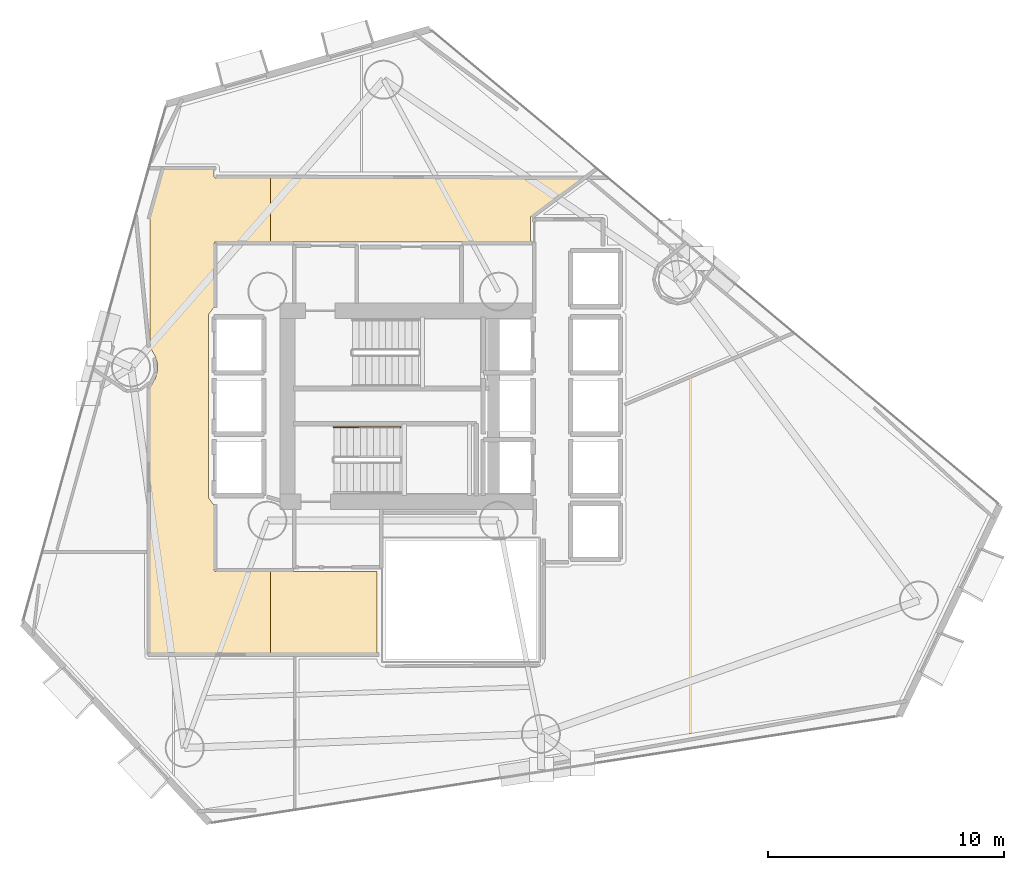
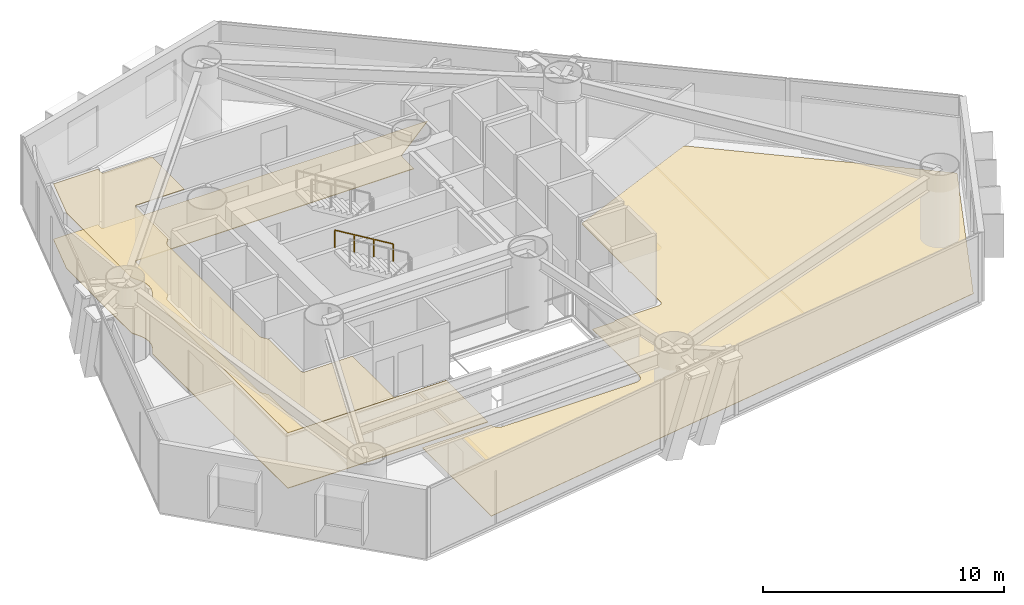
# One storey, part 21 of 23: 3 coverings, 1 railing.
"""IFC4 building model written with IfcOpenShell, lengths in metres."""

from ifc_helpers import new_model, si_unit, direction, frame, origin, origin_2d, place, context, subcontext, project, spatial, polyline, rectangle, outline, extrude, material, layer, layer_set, type_object, element, save


model = new_model("IFC4")

# Units and contexts
model_context = context("Model", 3, precision=1e-05, world=origin(), true_north=direction((0.0, 1.0)))
body_context = subcontext(model_context, "Body", "Model", "MODEL_VIEW")
ifc_project = project(units=[si_unit("LENGTHUNIT", "METRE"), si_unit("AREAUNIT", "SQUARE_METRE"), si_unit("VOLUMEUNIT", "CUBIC_METRE"), si_unit("PLANEANGLEUNIT", "RADIAN"), si_unit("MASSUNIT", "GRAM", prefix="KILO")], contexts=[model_context])

# Site, building, storey
site_placement = place(None, origin())
site = spatial("IfcSite", under=ifc_project, at=site_placement, CompositionType="ELEMENT")
building_placement = place(site_placement, origin())
building = spatial("IfcBuilding", under=site, at=building_placement, Name="Qianvela Tower", CompositionType="ELEMENT")
storey_placement = place(building_placement, frame((0.0, 0.0, 78.39990234375)))
storey = spatial("IfcBuildingStorey", under=building, at=storey_placement, Name="L19", CompositionType="ELEMENT", Elevation=78.39990234375)

# Coverings
ifc_material_1 = material(Name="Perforated Mineral Acoustic Ceiling Tile")
ifc_layer_1 = layer(ifc_material_1, 0.02490234375)
ifc_layer_set_1 = layer_set([ifc_layer_1], Name="Perforated Mineral Acoustic Ceiling Tile")
covering_type_1 = type_object("IfcCoveringType", Name="COV-CEIL-ACOUSTIC-25", PredefinedType="CEILING", material=ifc_layer_set_1)
covering_1_placement = place(storey_placement, frame((0.0, 0.0, 2.815185546875)))
element("IfcCovering", 1, at=covering_1_placement, inside=storey, type_object=covering_type_1, Name="L19 Acoustic Ceiling Bay 1 L19 Floor Corridor", PredefinedType="CEILING", context=body_context, shape_type="SweptSolid", body=[
    extrude(outline(polyline([(23.868408203125, 30.7705078125), (23.864990234375, 30.777587890625), (23.6298828125, 31.21728515625), (23.6298828125, 36.630615234375), (24.210205078125, 38.719970703125), (26.340087890625, 38.719970703125), (26.340087890625, 38.449951171875), (26.34033203125, 38.442138671875), (26.341552734375, 38.434326171875), (26.343505859375, 38.4267578125), (26.34619140625, 38.41943359375), (26.349365234375, 38.412353515625), (26.353515625, 38.405517578125), (26.358154296875, 38.399169921875), (26.36328125, 38.393310546875), (26.369140625, 38.38818359375), (26.37548828125, 38.383544921875), (26.38232421875, 38.37939453125), (26.389404296875, 38.376220703125), (26.396728515625, 38.373291015625), (26.404296875, 38.37158203125), (26.412109375, 38.370361328125), (26.419921875, 38.3701171875), (28.734619140625, 38.3701171875), (28.734619140625, 35.659912109375), (26.419921875, 35.659912109375), (26.412109375, 35.65966796875), (26.404296875, 35.658447265625), (26.396728515625, 35.656494140625), (26.389404296875, 35.65380859375), (26.38232421875, 35.650634765625), (26.37548828125, 35.646484375), (26.369140625, 35.641845703125), (26.36328125, 35.63671875), (26.358154296875, 35.630859375), (26.353515625, 35.62451171875), (26.349365234375, 35.61767578125), (26.34619140625, 35.610595703125), (26.343505859375, 35.603271484375), (26.341552734375, 35.595703125), (26.34033203125, 35.587890625), (26.340087890625, 35.580078125), (26.340087890625, 32.89599609375), (26.139404296875, 32.62548828125), (26.135498046875, 32.61962890625), (26.132080078125, 32.61376953125), (26.12939453125, 32.607421875), (26.126953125, 32.60107421875), (26.103515625, 32.523193359375), (26.1015625, 32.515625), (26.100341796875, 32.5078125), (26.10009765625, 32.5), (26.10009765625, 24.89990234375), (26.100341796875, 24.89208984375), (26.1015625, 24.884521484375), (26.103515625, 24.876708984375), (26.126953125, 24.799072265625), (26.12939453125, 24.79248046875), (26.132080078125, 24.786376953125), (26.135498046875, 24.7802734375), (26.139404296875, 24.774658203125), (26.340087890625, 24.50390625), (26.340087890625, 21.780029296875), (26.34033203125, 21.772216796875), (26.341552734375, 21.764404296875), (26.343505859375, 21.7568359375), (26.34619140625, 21.74951171875), (26.349365234375, 21.7421875), (26.353515625, 21.735595703125), (26.358154296875, 21.729248046875), (26.36328125, 21.723388671875), (26.369140625, 21.71826171875), (26.37548828125, 21.71337890625), (26.38232421875, 21.70947265625), (26.389404296875, 21.7060546875), (26.396728515625, 21.703369140625), (26.404296875, 21.701416015625), (26.412109375, 21.700439453125), (26.419921875, 21.699951171875), (28.734619140625, 21.699951171875), (28.734619140625, 18.22998046875), (23.6298828125, 18.22998046875), (23.6298828125, 29.462646484375), (23.864990234375, 29.90234375), (23.868408203125, 29.909423828125), (23.87109375, 29.9169921875), (23.930419921875, 30.11279296875), (23.932373046875, 30.12060546875), (23.93359375, 30.12841796875), (23.95361328125, 30.332275390625), (23.9541015625, 30.340087890625), (23.95361328125, 30.347900390625), (23.93359375, 30.5517578125), (23.932373046875, 30.5595703125), (23.930419921875, 30.567138671875), (23.87109375, 30.76318359375), (23.868408203125, 30.7705078125)])), origin(), (0.0, 0.0, 1.0), 0.02490234375),
])
ifc_material_2 = material(Name="Engineered Acoustic Oak Timber Flooring", Category="wood")
ifc_layer_2 = layer(ifc_material_2, 0.02001953125)
ifc_layer_set_2 = layer_set([ifc_layer_2], Name="Engineered Acoustic Oak Timber Flooring")
covering_type_2 = type_object("IfcCoveringType", Name="COV-FLOOR-OAK-20", PredefinedType="FLOORING", material=ifc_layer_set_2)
covering_2_placement = place(storey_placement, origin())
element("IfcCovering", 2, at=covering_2_placement, inside=storey, type_object=covering_type_2, Name="L19 Finish Flooring Debate Lecture Classroom L19-02", PredefinedType="FLOORING", context=body_context, shape_type="SweptSolid", body=[
    extrude(outline(polyline([(33.24609375, 17.989990234375), (33.252197265625, 17.912353515625), (33.25341796875, 17.904296875), (33.25537109375, 17.896240234375), (33.258056640625, 17.888427734375), (33.261474609375, 17.881103515625), (33.31298828125, 17.78466796875), (33.31689453125, 17.77783203125), (33.32177734375, 17.771484375), (33.326904296875, 17.765869140625), (33.332763671875, 17.760498046875), (33.417236328125, 17.691162109375), (33.42431640625, 17.68603515625), (33.431884765625, 17.681640625), (33.440185546875, 17.677978515625), (33.448486328125, 17.675537109375), (33.58056640625, 17.642333984375), (33.5869140625, 17.64111328125), (33.593505859375, 17.640380859375), (33.60009765625, 17.639892578125), (40.0, 17.639892578125), (40.0078125, 17.640380859375), (40.015625, 17.6416015625), (40.023193359375, 17.643310546875), (40.1787109375, 17.690673828125), (40.185546875, 17.693115234375), (40.192138671875, 17.696044921875), (40.198486328125, 17.69970703125), (40.204345703125, 17.70361328125), (40.209716796875, 17.70849609375), (40.21484375, 17.71337890625), (40.30615234375, 17.814208984375), (40.311279296875, 17.8203125), (40.315673828125, 17.826904296875), (40.3193359375, 17.833740234375), (40.322265625, 17.841064453125), (40.324462890625, 17.8486328125), (40.357666015625, 17.980712890625), (40.35888671875, 17.987060546875), (40.359619140625, 17.993408203125), (40.360107421875, 18.0), (40.360107421875, 21.889892578125), (41.367919921875, 21.890380859375), (41.375732421875, 21.890869140625), (41.383544921875, 21.891845703125), (41.39111328125, 21.893798828125), (41.3984375, 21.896484375), (41.405517578125, 21.89990234375), (41.45947265625, 21.9287109375), (41.46630859375, 21.932861328125), (41.472900390625, 21.9375), (41.478759765625, 21.943115234375), (41.48388671875, 21.948974609375), (41.48876953125, 21.955322265625), (41.492919921875, 21.96240234375), (41.49609375, 21.969482421875), (41.498779296875, 21.97705078125), (41.49951171875, 21.97998046875), (43.59375, 21.980712890625), (43.6015625, 21.981201171875), (43.609375, 21.982177734375), (43.616943359375, 21.984130859375), (43.624267578125, 21.98681640625), (43.699462890625, 22.017822265625), (43.70654296875, 22.021240234375), (43.71337890625, 22.025390625), (43.719482421875, 22.02978515625), (43.725341796875, 22.03515625), (43.730712890625, 22.041015625), (43.7353515625, 22.04736328125), (43.780517578125, 22.114990234375), (43.784423828125, 22.12158203125), (43.787841796875, 22.128662109375), (43.79052734375, 22.135986328125), (43.79248046875, 22.1435546875), (43.793701171875, 22.1513671875), (43.7939453125, 22.1591796875), (43.800048828125, 24.599853515625), (43.7998046875, 24.606689453125), (43.798828125, 24.613525390625), (43.79736328125, 24.620361328125), (43.79541015625, 24.626953125), (43.763427734375, 24.7158203125), (43.760498046875, 24.722900390625), (43.7568359375, 24.72998046875), (43.75244140625, 24.736572265625), (43.74755859375, 24.742431640625), (43.741943359375, 24.748046875), (43.73583984375, 24.753173828125), (43.730224609375, 24.7568359375), (43.74462890625, 24.765380859375), (43.75146484375, 24.77001953125), (43.7578125, 24.775146484375), (43.763427734375, 24.781005859375), (43.7685546875, 24.787353515625), (43.77294921875, 24.794189453125), (43.776611328125, 24.8017578125), (43.779541015625, 24.809326171875), (43.78173828125, 24.817138671875), (43.782958984375, 24.8251953125), (43.783447265625, 24.83349609375), (43.800048828125, 27.299560546875), (43.799560546875, 27.3076171875), (43.798583984375, 27.315673828125), (43.79638671875, 27.323486328125), (43.793701171875, 27.3310546875), (43.7646484375, 27.39990234375), (43.793701171875, 27.468994140625), (43.79638671875, 27.476318359375), (43.79833984375, 27.484130859375), (43.799560546875, 27.491943359375), (43.800048828125, 27.5), (43.800048828125, 28.7373046875), (50.292236328125, 31.492919921875), (59.135009765625, 24.1064453125), (55.361083984375, 16.2099609375), (29.94873046875, 12.260986328125), (29.94873046875, 17.989990234375), (33.24609375, 17.989990234375)])), origin(), (0.0, 0.0, 1.0), 0.02001953125),
])
ifc_material_3 = material(Name="Honed Stone Terrazzo Flooring", Category="masonry")
ifc_layer_3 = layer(ifc_material_3, 0.030029296875)
ifc_layer_set_3 = layer_set([ifc_layer_3], Name="Honed Stone Terrazzo Flooring")
covering_type_3 = type_object("IfcCoveringType", Name="COV-FLOOR-TERRAZZO-30", PredefinedType="FLOORING", material=ifc_layer_set_3)
covering_3_placement = place(storey_placement, origin())
element("IfcCovering", 3, at=covering_3_placement, inside=storey, type_object=covering_type_3, Name="L19 Finish Flooring L19 Floor Corridor", PredefinedType="FLOORING", context=body_context, shape_type="SweptSolid", body=[
    extrude(outline(polyline([(23.87109375, 30.76318359375), (23.868408203125, 30.7705078125), (23.864990234375, 30.777587890625), (23.6298828125, 31.21728515625), (23.6298828125, 36.630615234375), (24.210205078125, 38.719970703125), (26.340087890625, 38.719970703125), (26.340087890625, 38.449951171875), (26.34033203125, 38.442138671875), (26.341552734375, 38.434326171875), (26.343505859375, 38.4267578125), (26.34619140625, 38.41943359375), (26.349365234375, 38.412353515625), (26.353515625, 38.405517578125), (26.358154296875, 38.399169921875), (26.36328125, 38.393310546875), (26.369140625, 38.38818359375), (26.37548828125, 38.383544921875), (26.38232421875, 38.37939453125), (26.389404296875, 38.376220703125), (26.396728515625, 38.373291015625), (26.404296875, 38.37158203125), (26.412109375, 38.370361328125), (26.419921875, 38.3701171875), (41.961181640625, 38.3701171875), (39.784423828125, 36.753662109375), (39.778076171875, 36.748291015625), (39.772216796875, 36.742431640625), (39.76708984375, 36.736083984375), (39.7626953125, 36.729248046875), (39.759033203125, 36.721923828125), (39.756103515625, 36.71435546875), (39.75390625, 36.70654296875), (39.752685546875, 36.698486328125), (39.752197265625, 36.690185546875), (39.739013671875, 35.659912109375), (26.419921875, 35.659912109375), (26.412109375, 35.65966796875), (26.404296875, 35.658447265625), (26.396728515625, 35.656494140625), (26.389404296875, 35.65380859375), (26.38232421875, 35.650634765625), (26.37548828125, 35.646484375), (26.369140625, 35.641845703125), (26.36328125, 35.63671875), (26.358154296875, 35.630859375), (26.353515625, 35.62451171875), (26.349365234375, 35.61767578125), (26.34619140625, 35.610595703125), (26.343505859375, 35.603271484375), (26.341552734375, 35.595703125), (26.34033203125, 35.587890625), (26.340087890625, 35.580078125), (26.340087890625, 32.89599609375), (26.139404296875, 32.62548828125), (26.135498046875, 32.61962890625), (26.132080078125, 32.61376953125), (26.12939453125, 32.607421875), (26.126953125, 32.60107421875), (26.103515625, 32.523193359375), (26.1015625, 32.515625), (26.100341796875, 32.5078125), (26.10009765625, 32.5), (26.10009765625, 24.89990234375), (26.100341796875, 24.89208984375), (26.1015625, 24.884521484375), (26.103515625, 24.876708984375), (26.126953125, 24.799072265625), (26.12939453125, 24.79248046875), (26.132080078125, 24.786376953125), (26.135498046875, 24.7802734375), (26.139404296875, 24.774658203125), (26.340087890625, 24.50390625), (26.340087890625, 21.780029296875), (26.34033203125, 21.772216796875), (26.341552734375, 21.764404296875), (26.343505859375, 21.7568359375), (26.34619140625, 21.74951171875), (26.349365234375, 21.7421875), (26.353515625, 21.735595703125), (26.358154296875, 21.729248046875), (26.36328125, 21.723388671875), (26.369140625, 21.71826171875), (26.37548828125, 21.71337890625), (26.38232421875, 21.70947265625), (26.389404296875, 21.7060546875), (26.396728515625, 21.703369140625), (26.404296875, 21.701416015625), (26.412109375, 21.700439453125), (26.419921875, 21.699951171875), (33.239990234375, 21.699951171875), (33.239990234375, 18.22998046875), (23.6298828125, 18.22998046875), (23.6298828125, 29.462646484375), (23.864990234375, 29.90234375), (23.868408203125, 29.909423828125), (23.87109375, 29.9169921875), (23.930419921875, 30.11279296875), (23.932373046875, 30.12060546875), (23.93359375, 30.12841796875), (23.95361328125, 30.332275390625), (23.9541015625, 30.340087890625), (23.95361328125, 30.347900390625), (23.93359375, 30.5517578125), (23.932373046875, 30.5595703125), (23.930419921875, 30.567138671875), (23.87109375, 30.76318359375)])), origin(), (0.0, 0.0, 1.0), 0.030029296875),
])

# Railing
ifc_material_4 = material(Name="Brushed Stainless Steel 304", Category="steel")
railing_type = type_object("IfcRailingType", Name="RL-STAIR-HANDRAIL-900", PredefinedType="HANDRAIL", material=ifc_material_4)
railing_placement = place(storey_placement, frame((34.219970703125, 27.81005859375, 2.018310546875)))
element("IfcRailing", 4, at=railing_placement, inside=storey, type_object=railing_type, Name="L19 ST-2 stair handrail 2", PredefinedType="HANDRAIL", context=body_context, shape_type="SweptSolid", body=[
    extrude(rectangle(XDim=0.050048828125, YDim=0.0400390625, at=origin_2d()), frame((0.0, 0.0, 0.8798828125), z_axis=(-0.857242210791, 0.0, 0.514913383045), x_axis=(0.0, -1.0, 0.0)), (0.0, 0.0, 1.0), 3.266357421875),
    extrude(rectangle(XDim=0.050048828125, YDim=0.050048828125, at=origin_2d()), origin(), (0.0, 0.0, 1.0), 0.85986328125),
    extrude(rectangle(XDim=0.050048828125, YDim=0.050048828125, at=origin_2d()), frame((-0.933349609375, 0.0, 0.560546875)), (0.0, 0.0, 1.0), 0.85986328125),
    extrude(rectangle(XDim=0.050048828125, YDim=0.050048828125, at=origin_2d()), frame((-1.86669921875, 0.0, 1.121337890625)), (0.0, 0.0, 1.0), 0.85986328125),
    extrude(rectangle(XDim=0.050048828125, YDim=0.050048828125, at=origin_2d()), frame((-2.800048828125, 0.0, 1.681884765625)), (0.0, 0.0, 1.0), 0.85986328125),
])

save(model, "model.ifc")
